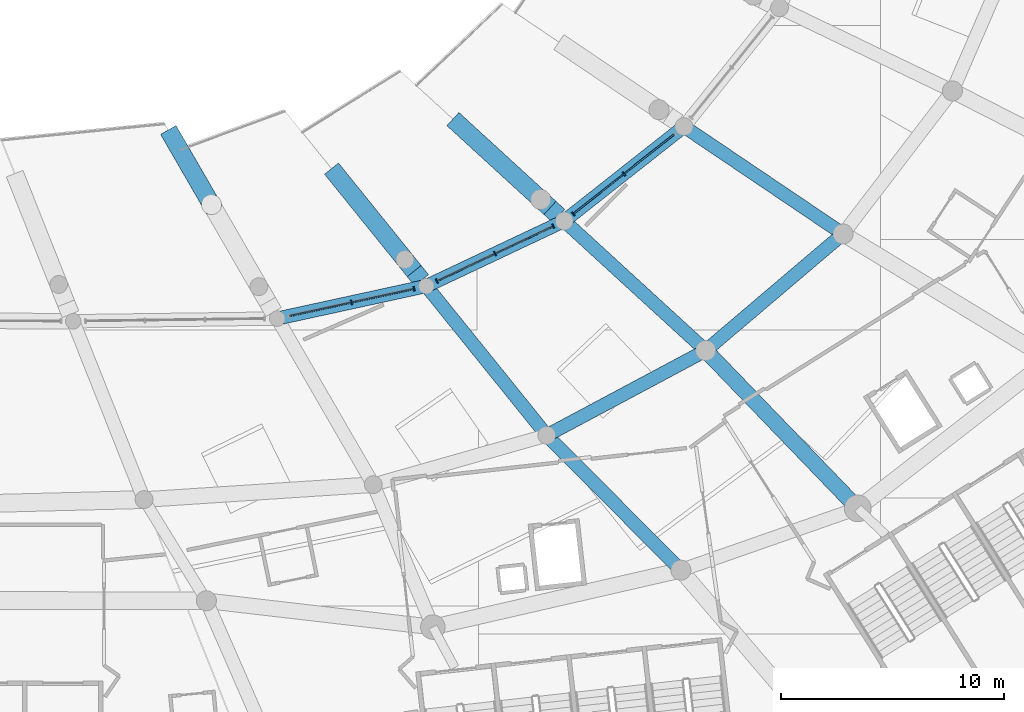
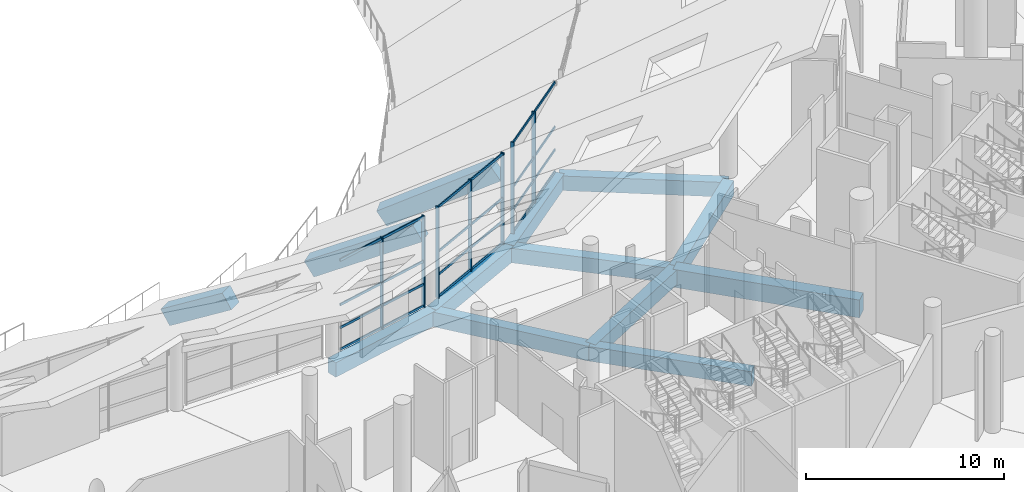
# One storey, part 35 of 249: 31 members, 13 beams, 3 elements without a shape of their own.
"""IFC4 building model written with IfcOpenShell, lengths in metres."""

from ifc_helpers import new_model, si_unit, direction, frame, origin, origin_2d, place, context, subcontext, project, spatial, rectangle, extrude, material, layer, layer_set, material_profile, profile_set, type_object, element, aggregate, save


model = new_model("IFC4")

# Units and contexts
model_context = context("Model", 3, precision=1e-05, world=origin(), true_north=direction((0.0, 1.0)))
body_context = subcontext(model_context, "Body", "Model", "MODEL_VIEW")
ifc_project = project(units=[si_unit("LENGTHUNIT", "METRE"), si_unit("AREAUNIT", "SQUARE_METRE"), si_unit("VOLUMEUNIT", "CUBIC_METRE"), si_unit("PLANEANGLEUNIT", "RADIAN"), si_unit("MASSUNIT", "GRAM", prefix="KILO")], contexts=[model_context])

# Site, building, storey
site_placement = place(None, origin())
site = spatial("IfcSite", under=ifc_project, at=site_placement, CompositionType="ELEMENT")
building_placement = place(site_placement, origin())
building = spatial("IfcBuilding", under=site, at=building_placement, Name="Meseta Stadium", CompositionType="ELEMENT")
storey_placement = place(building_placement, frame((0.0, 0.0, 12.0)))
storey = spatial("IfcBuildingStorey", under=building, at=storey_placement, Name="L02", CompositionType="ELEMENT", Elevation=12.0)

# Curtain wall, members
ifc_material_1 = material(Name="Aluminium", Category="aluminium")
ifc_layer = layer(ifc_material_1, 0.199951171875)
ifc_layer_set = layer_set([ifc_layer], Name="Suite glazing curtain wall")
curtain_wall_type = type_object("IfcCurtainWallType", Name="Suite glazing curtain wall", PredefinedType="NOTDEFINED", material=ifc_layer_set)
curtain_wall_1_placement = place(storey_placement, origin())
curtain_wall_1 = element("IfcCurtainWall", 1, at=curtain_wall_1_placement, inside=storey, type_object=curtain_wall_type, Name="Suite glazing bay 50", PredefinedType="NOTDEFINED")
ifc_material_2 = material(Name="Aluminium", Category="aluminium")
ifc_material_profile_1 = material_profile(ifc_material_2, rectangle(XDim=0.199951171875, YDim=0.06005859375, at=origin_2d()), Name="CW 200x60")
ifc_profile_set_1 = profile_set([ifc_material_profile_1], Name="Aluminium")
member_type_1 = type_object("IfcMemberType", Name="CW mullion 60x200", PredefinedType="MULLION", material=ifc_profile_set_1)
member_1_placement = place(storey_placement, frame((41.034912109375, -76.53759765625, 0.0), z_axis=(0.0, 0.0, 1.0), x_axis=(-0.21291694712, 0.977070301273, 0.0)))
member_1 = element("IfcMember", 2, at=member_1_placement, type_object=member_type_1, Name="CWS mullion 2", PredefinedType="MULLION", context=body_context, shape_type="SweptSolid", body=[
    extrude(rectangle(XDim=0.199951171875, YDim=0.06005859375, at=origin_2d()), origin(), (0.0, 0.0, 1.0), 5.64990234375),
])
member_2_placement = place(storey_placement, frame((43.83740234375, -75.9267578125, 0.0), z_axis=(0.0, 0.0, 1.0), x_axis=(-0.21291694712, 0.977070301273, 0.0)))
member_2 = element("IfcMember", 3, at=member_2_placement, type_object=member_type_1, Name="CWS mullion 3", PredefinedType="MULLION", context=body_context, shape_type="SweptSolid", body=[
    extrude(rectangle(XDim=0.199951171875, YDim=0.06005859375, at=origin_2d()), origin(), (0.0, 0.0, 1.0), 5.64990234375),
])

curtain_wall_2_placement = place(storey_placement, origin())
curtain_wall_2 = element("IfcCurtainWall", 4, at=curtain_wall_2_placement, inside=storey, type_object=curtain_wall_type, Name="Suite glazing bay 51", PredefinedType="NOTDEFINED")
member_3_placement = place(storey_placement, frame((44.86279296875, -75.583251953125, 0.0), z_axis=(0.0, 0.0, 1.0), x_axis=(-0.426837356076, 0.904328409074, 0.0)))
member_3 = element("IfcMember", 5, at=member_3_placement, type_object=member_type_1, Name="CWS mullion 1", PredefinedType="MULLION", context=body_context, shape_type="SweptSolid", body=[
    extrude(rectangle(XDim=0.199951171875, YDim=0.06005859375, at=origin_2d()), origin(), (0.0, 0.0, 1.0), 5.64990234375),
])
member_4_placement = place(storey_placement, frame((47.4697265625, -74.352783203125, 0.0), z_axis=(0.0, 0.0, 1.0), x_axis=(-0.426837356076, 0.904328409074, 0.0)))
member_4 = element("IfcMember", 6, at=member_4_placement, type_object=member_type_1, Name="CWS mullion 2", PredefinedType="MULLION", context=body_context, shape_type="SweptSolid", body=[
    extrude(rectangle(XDim=0.199951171875, YDim=0.06005859375, at=origin_2d()), origin(), (0.0, 0.0, 1.0), 5.64990234375),
])
member_5_placement = place(storey_placement, frame((50.076416015625, -73.12255859375, 0.0), z_axis=(0.0, 0.0, 1.0), x_axis=(-0.426837356076, 0.904328409074, 0.0)))
member_5 = element("IfcMember", 7, at=member_5_placement, type_object=member_type_1, Name="CWS mullion 3", PredefinedType="MULLION", context=body_context, shape_type="SweptSolid", body=[
    extrude(rectangle(XDim=0.199951171875, YDim=0.06005859375, at=origin_2d()), origin(), (0.0, 0.0, 1.0), 5.64990234375),
])

curtain_wall_3_placement = place(storey_placement, origin())
curtain_wall_3 = element("IfcCurtainWall", 8, at=curtain_wall_3_placement, inside=storey, type_object=curtain_wall_type, Name="Suite glazing bay 52", PredefinedType="NOTDEFINED")
member_6_placement = place(storey_placement, frame((50.976318359375, -72.56982421875, 0.0), z_axis=(0.0, 0.0, 1.0), x_axis=(-0.61894425509, 0.785434917158, 0.0)))
member_6 = element("IfcMember", 9, at=member_6_placement, type_object=member_type_1, Name="CWS mullion 1", PredefinedType="MULLION", context=body_context, shape_type="SweptSolid", body=[
    extrude(rectangle(XDim=0.199951171875, YDim=0.06005859375, at=origin_2d()), origin(), (0.0, 0.0, 1.0), 5.64990234375),
])
member_7_placement = place(storey_placement, frame((53.2490234375, -70.77880859375, 0.0), z_axis=(0.0, 0.0, 1.0), x_axis=(-0.61894425509, 0.785434917158, 0.0)))
member_7 = element("IfcMember", 10, at=member_7_placement, type_object=member_type_1, Name="CWS mullion 2", PredefinedType="MULLION", context=body_context, shape_type="SweptSolid", body=[
    extrude(rectangle(XDim=0.199951171875, YDim=0.06005859375, at=origin_2d()), origin(), (0.0, 0.0, 1.0), 5.64990234375),
])

# Member
ifc_material_3 = material(Name="Aluminium", Category="aluminium")
ifc_material_profile_2 = material_profile(ifc_material_3, rectangle(XDim=0.06005859375, YDim=0.14990234375, at=origin_2d()), Name="CW 60x150")
ifc_profile_set_2 = profile_set([ifc_material_profile_2], Name="Aluminium")
member_type_2 = type_object("IfcMemberType", Name="CW transom 60x150", PredefinedType="USERDEFINED", material=ifc_profile_set_2)
member_8_placement = place(storey_placement, frame((38.26171875, -77.141845703125, 0.074951171875), z_axis=(0.977072677928, 0.212906040417, 0.0), x_axis=(-0.212906040417, 0.977072677928, 0.0)))
member_8 = element("IfcMember", 11, at=member_8_placement, type_object=member_type_2, Name="CWS transom 1.1", ObjectType="TRANSOM", PredefinedType="USERDEFINED", context=body_context, shape_type="SweptSolid", body=[
    extrude(rectangle(XDim=0.06005859375, YDim=0.14990234375, at=origin_2d()), origin(), (0.0, 0.0, 1.0), 2.808349609375),
])

member_9_placement = place(storey_placement, frame((38.26171875, -77.141845703125, 1.41259765625), z_axis=(0.977072677928, 0.212906040417, 0.0), x_axis=(-0.212906040417, 0.977072677928, 0.0)))
member_9 = element("IfcMember", 12, at=member_9_placement, type_object=member_type_2, Name="CWS transom 1.2", ObjectType="TRANSOM", PredefinedType="USERDEFINED", context=body_context, shape_type="SweptSolid", body=[
    extrude(rectangle(XDim=0.06005859375, YDim=0.14990234375, at=origin_2d()), origin(), (0.0, 0.0, 1.0), 2.808349609375),
])

member_10_placement = place(storey_placement, frame((38.26171875, -77.141845703125, 2.824951171875), z_axis=(0.977072677928, 0.212906040417, 0.0), x_axis=(-0.212906040417, 0.977072677928, 0.0)))
member_10 = element("IfcMember", 13, at=member_10_placement, type_object=member_type_2, Name="CWS transom 1.3", ObjectType="TRANSOM", PredefinedType="USERDEFINED", context=body_context, shape_type="SweptSolid", body=[
    extrude(rectangle(XDim=0.06005859375, YDim=0.14990234375, at=origin_2d()), origin(), (0.0, 0.0, 1.0), 2.808349609375),
])

member_11_placement = place(storey_placement, frame((38.26171875, -77.141845703125, 5.574951171875), z_axis=(0.977072677928, 0.212906040417, 0.0), x_axis=(-0.212906040417, 0.977072677928, 0.0)))
member_11 = element("IfcMember", 14, at=member_11_placement, type_object=member_type_2, Name="CWS transom 1.4", ObjectType="TRANSOM", PredefinedType="USERDEFINED", context=body_context, shape_type="SweptSolid", body=[
    extrude(rectangle(XDim=0.06005859375, YDim=0.14990234375, at=origin_2d()), origin(), (0.0, 0.0, 1.0), 2.808349609375),
])

member_12_placement = place(storey_placement, frame((41.064208984375, -76.53125, 0.074951171875), z_axis=(0.977072677928, 0.212906040417, 0.0), x_axis=(-0.212906040417, 0.977072677928, 0.0)))
member_12 = element("IfcMember", 15, at=member_12_placement, type_object=member_type_2, Name="CWS transom 2.1", ObjectType="TRANSOM", PredefinedType="USERDEFINED", context=body_context, shape_type="SweptSolid", body=[
    extrude(rectangle(XDim=0.06005859375, YDim=0.14990234375, at=origin_2d()), origin(), (0.0, 0.0, 1.0), 2.808349609375),
])

member_13_placement = place(storey_placement, frame((41.064208984375, -76.53125, 1.41259765625), z_axis=(0.977072677928, 0.212906040417, 0.0), x_axis=(-0.212906040417, 0.977072677928, 0.0)))
member_13 = element("IfcMember", 16, at=member_13_placement, type_object=member_type_2, Name="CWS transom 2.2", ObjectType="TRANSOM", PredefinedType="USERDEFINED", context=body_context, shape_type="SweptSolid", body=[
    extrude(rectangle(XDim=0.06005859375, YDim=0.14990234375, at=origin_2d()), origin(), (0.0, 0.0, 1.0), 2.808349609375),
])

member_14_placement = place(storey_placement, frame((41.064208984375, -76.53125, 2.824951171875), z_axis=(0.977072677928, 0.212906040417, 0.0), x_axis=(-0.212906040417, 0.977072677928, 0.0)))
member_14 = element("IfcMember", 17, at=member_14_placement, type_object=member_type_2, Name="CWS transom 2.3", ObjectType="TRANSOM", PredefinedType="USERDEFINED", context=body_context, shape_type="SweptSolid", body=[
    extrude(rectangle(XDim=0.06005859375, YDim=0.14990234375, at=origin_2d()), origin(), (0.0, 0.0, 1.0), 2.808349609375),
])

member_15_placement = place(storey_placement, frame((41.064208984375, -76.53125, 5.574951171875), z_axis=(0.977072677928, 0.212906040417, 0.0), x_axis=(-0.212906040417, 0.977072677928, 0.0)))
member_15 = element("IfcMember", 18, at=member_15_placement, type_object=member_type_2, Name="CWS transom 2.4", ObjectType="TRANSOM", PredefinedType="USERDEFINED", context=body_context, shape_type="SweptSolid", body=[
    extrude(rectangle(XDim=0.06005859375, YDim=0.14990234375, at=origin_2d()), origin(), (0.0, 0.0, 1.0), 2.808349609375),
])

aggregate(curtain_wall_1, [member_1, member_2, member_8, member_9, member_10, member_11, member_12, member_13, member_14, member_15])

member_16_placement = place(storey_placement, frame((44.889892578125, -75.570556640625, 0.074951171875), z_axis=(0.904333972245, 0.426825569341, 0.0), x_axis=(-0.426825569341, 0.904333972245, 0.0)))
member_16 = element("IfcMember", 19, at=member_16_placement, type_object=member_type_2, Name="CWS transom 1.1", ObjectType="TRANSOM", PredefinedType="USERDEFINED", context=body_context, shape_type="SweptSolid", body=[
    extrude(rectangle(XDim=0.06005859375, YDim=0.14990234375, at=origin_2d()), origin(), (0.0, 0.0, 1.0), 2.82275390625),
])

member_17_placement = place(storey_placement, frame((44.889892578125, -75.570556640625, 1.41259765625), z_axis=(0.904333972245, 0.426825569341, 0.0), x_axis=(-0.426825569341, 0.904333972245, 0.0)))
member_17 = element("IfcMember", 20, at=member_17_placement, type_object=member_type_2, Name="CWS transom 1.2", ObjectType="TRANSOM", PredefinedType="USERDEFINED", context=body_context, shape_type="SweptSolid", body=[
    extrude(rectangle(XDim=0.06005859375, YDim=0.14990234375, at=origin_2d()), origin(), (0.0, 0.0, 1.0), 2.82275390625),
])

member_18_placement = place(storey_placement, frame((44.889892578125, -75.570556640625, 2.824951171875), z_axis=(0.904333972245, 0.426825569341, 0.0), x_axis=(-0.426825569341, 0.904333972245, 0.0)))
member_18 = element("IfcMember", 21, at=member_18_placement, type_object=member_type_2, Name="CWS transom 1.3", ObjectType="TRANSOM", PredefinedType="USERDEFINED", context=body_context, shape_type="SweptSolid", body=[
    extrude(rectangle(XDim=0.06005859375, YDim=0.14990234375, at=origin_2d()), origin(), (0.0, 0.0, 1.0), 2.82275390625),
])

member_19_placement = place(storey_placement, frame((44.889892578125, -75.570556640625, 5.574951171875), z_axis=(0.904333972245, 0.426825569341, 0.0), x_axis=(-0.426825569341, 0.904333972245, 0.0)))
member_19 = element("IfcMember", 22, at=member_19_placement, type_object=member_type_2, Name="CWS transom 1.4", ObjectType="TRANSOM", PredefinedType="USERDEFINED", context=body_context, shape_type="SweptSolid", body=[
    extrude(rectangle(XDim=0.06005859375, YDim=0.14990234375, at=origin_2d()), origin(), (0.0, 0.0, 1.0), 2.82275390625),
])

member_20_placement = place(storey_placement, frame((47.496826171875, -74.340087890625, 0.074951171875), z_axis=(0.904318213738, 0.426858955982, 0.0), x_axis=(-0.426858955982, 0.904318213738, 0.0)))
member_20 = element("IfcMember", 23, at=member_20_placement, type_object=member_type_2, Name="CWS transom 2.1", ObjectType="TRANSOM", PredefinedType="USERDEFINED", context=body_context, shape_type="SweptSolid", body=[
    extrude(rectangle(XDim=0.06005859375, YDim=0.14990234375, at=origin_2d()), origin(), (0.0, 0.0, 1.0), 2.822509765625),
])

member_21_placement = place(storey_placement, frame((47.496826171875, -74.340087890625, 1.41259765625), z_axis=(0.904318213738, 0.426858955982, 0.0), x_axis=(-0.426858955982, 0.904318213738, 0.0)))
member_21 = element("IfcMember", 24, at=member_21_placement, type_object=member_type_2, Name="CWS transom 2.2", ObjectType="TRANSOM", PredefinedType="USERDEFINED", context=body_context, shape_type="SweptSolid", body=[
    extrude(rectangle(XDim=0.06005859375, YDim=0.14990234375, at=origin_2d()), origin(), (0.0, 0.0, 1.0), 2.822509765625),
])

member_22_placement = place(storey_placement, frame((47.496826171875, -74.340087890625, 2.824951171875), z_axis=(0.904318213738, 0.426858955982, 0.0), x_axis=(-0.426858955982, 0.904318213738, 0.0)))
member_22 = element("IfcMember", 25, at=member_22_placement, type_object=member_type_2, Name="CWS transom 2.3", ObjectType="TRANSOM", PredefinedType="USERDEFINED", context=body_context, shape_type="SweptSolid", body=[
    extrude(rectangle(XDim=0.06005859375, YDim=0.14990234375, at=origin_2d()), origin(), (0.0, 0.0, 1.0), 2.822509765625),
])

member_23_placement = place(storey_placement, frame((47.496826171875, -74.340087890625, 5.574951171875), z_axis=(0.904318213738, 0.426858955982, 0.0), x_axis=(-0.426858955982, 0.904318213738, 0.0)))
member_23 = element("IfcMember", 26, at=member_23_placement, type_object=member_type_2, Name="CWS transom 2.4", ObjectType="TRANSOM", PredefinedType="USERDEFINED", context=body_context, shape_type="SweptSolid", body=[
    extrude(rectangle(XDim=0.06005859375, YDim=0.14990234375, at=origin_2d()), origin(), (0.0, 0.0, 1.0), 2.822509765625),
])

aggregate(curtain_wall_2, [member_3, member_4, member_5, member_16, member_17, member_18, member_19, member_20, member_21, member_22, member_23])

member_24_placement = place(storey_placement, frame((51.0, -72.55126953125, 0.074951171875), z_axis=(0.785420592413, 0.618962432635, 0.0), x_axis=(-0.618962432635, 0.785420592413, 0.0)))
member_24 = element("IfcMember", 27, at=member_24_placement, type_object=member_type_2, Name="CWS transom 1.1", ObjectType="TRANSOM", PredefinedType="USERDEFINED", context=body_context, shape_type="SweptSolid", body=[
    extrude(rectangle(XDim=0.06005859375, YDim=0.14990234375, at=origin_2d()), origin(), (0.0, 0.0, 1.0), 2.833740234375),
])

member_25_placement = place(storey_placement, frame((51.0, -72.55126953125, 1.41259765625), z_axis=(0.785420592413, 0.618962432635, 0.0), x_axis=(-0.618962432635, 0.785420592413, 0.0)))
member_25 = element("IfcMember", 28, at=member_25_placement, type_object=member_type_2, Name="CWS transom 1.2", ObjectType="TRANSOM", PredefinedType="USERDEFINED", context=body_context, shape_type="SweptSolid", body=[
    extrude(rectangle(XDim=0.06005859375, YDim=0.14990234375, at=origin_2d()), origin(), (0.0, 0.0, 1.0), 2.833740234375),
])

member_26_placement = place(storey_placement, frame((51.0, -72.55126953125, 2.824951171875), z_axis=(0.785420592413, 0.618962432635, 0.0), x_axis=(-0.618962432635, 0.785420592413, 0.0)))
member_26 = element("IfcMember", 29, at=member_26_placement, type_object=member_type_2, Name="CWS transom 1.3", ObjectType="TRANSOM", PredefinedType="USERDEFINED", context=body_context, shape_type="SweptSolid", body=[
    extrude(rectangle(XDim=0.06005859375, YDim=0.14990234375, at=origin_2d()), origin(), (0.0, 0.0, 1.0), 2.833740234375),
])

member_27_placement = place(storey_placement, frame((51.0, -72.55126953125, 5.574951171875), z_axis=(0.785420592413, 0.618962432635, 0.0), x_axis=(-0.618962432635, 0.785420592413, 0.0)))
member_27 = element("IfcMember", 30, at=member_27_placement, type_object=member_type_2, Name="CWS transom 1.4", ObjectType="TRANSOM", PredefinedType="USERDEFINED", context=body_context, shape_type="SweptSolid", body=[
    extrude(rectangle(XDim=0.06005859375, YDim=0.14990234375, at=origin_2d()), origin(), (0.0, 0.0, 1.0), 2.833740234375),
])

member_28_placement = place(storey_placement, frame((53.272705078125, -70.76025390625, 0.074951171875), z_axis=(0.785420592413, 0.618962432635, 0.0), x_axis=(-0.618962432635, 0.785420592413, 0.0)))
member_28 = element("IfcMember", 31, at=member_28_placement, type_object=member_type_2, Name="CWS transom 2.1", ObjectType="TRANSOM", PredefinedType="USERDEFINED", context=body_context, shape_type="SweptSolid", body=[
    extrude(rectangle(XDim=0.06005859375, YDim=0.14990234375, at=origin_2d()), origin(), (0.0, 0.0, 1.0), 2.833740234375),
])

member_29_placement = place(storey_placement, frame((53.272705078125, -70.76025390625, 1.41259765625), z_axis=(0.785420592413, 0.618962432635, 0.0), x_axis=(-0.618962432635, 0.785420592413, 0.0)))
member_29 = element("IfcMember", 32, at=member_29_placement, type_object=member_type_2, Name="CWS transom 2.2", ObjectType="TRANSOM", PredefinedType="USERDEFINED", context=body_context, shape_type="SweptSolid", body=[
    extrude(rectangle(XDim=0.06005859375, YDim=0.14990234375, at=origin_2d()), origin(), (0.0, 0.0, 1.0), 2.833740234375),
])

member_30_placement = place(storey_placement, frame((53.272705078125, -70.76025390625, 2.824951171875), z_axis=(0.785420592413, 0.618962432635, 0.0), x_axis=(-0.618962432635, 0.785420592413, 0.0)))
member_30 = element("IfcMember", 33, at=member_30_placement, type_object=member_type_2, Name="CWS transom 2.3", ObjectType="TRANSOM", PredefinedType="USERDEFINED", context=body_context, shape_type="SweptSolid", body=[
    extrude(rectangle(XDim=0.06005859375, YDim=0.14990234375, at=origin_2d()), origin(), (0.0, 0.0, 1.0), 2.833740234375),
])

member_31_placement = place(storey_placement, frame((53.272705078125, -70.76025390625, 5.574951171875), z_axis=(0.785420592413, 0.618962432635, 0.0), x_axis=(-0.618962432635, 0.785420592413, 0.0)))
member_31 = element("IfcMember", 34, at=member_31_placement, type_object=member_type_2, Name="CWS transom 2.4", ObjectType="TRANSOM", PredefinedType="USERDEFINED", context=body_context, shape_type="SweptSolid", body=[
    extrude(rectangle(XDim=0.06005859375, YDim=0.14990234375, at=origin_2d()), origin(), (0.0, 0.0, 1.0), 2.833740234375),
])

aggregate(curtain_wall_3, [member_6, member_7, member_24, member_25, member_26, member_27, member_28, member_29, member_30, member_31])

# Beams
ifc_material_4 = material(Name="Concrete C40/50", Category="concrete")
ifc_material_profile_3 = material_profile(ifc_material_4, rectangle(XDim=0.60009765625, YDim=0.89990234375, at=origin_2d()), Name="RC 600x900")
ifc_profile_set_3 = profile_set([ifc_material_profile_3], Name="Concrete C40/50")
beam_type_1 = type_object("IfcBeamType", Name="RC beam 600x900", PredefinedType="BEAM", material=ifc_profile_set_3)
beam_1_placement = place(storey_placement, frame((37.711669921875, -77.26171875, -0.800048828125), z_axis=(0.977068887475, 0.212923434899, 0.0), x_axis=(-0.212923434899, 0.977068887475, 0.0)))
element("IfcBeam", 35, at=beam_1_placement, inside=storey, type_object=beam_type_1, Name="L02 ring beam frame 50 line D", PredefinedType="BEAM", context=body_context, shape_type="SweptSolid", body=[
    extrude(rectangle(XDim=0.60009765625, YDim=0.89990234375, at=origin_2d()), origin(), (0.0, 0.0, 1.0), 6.8349609375),
])
beam_2_placement = place(storey_placement, frame((44.389892578125, -75.806396484375, -0.800048828125), z_axis=(0.904340564666, 0.426811601412, 0.0), x_axis=(-0.426811601412, 0.904340564666, 0.0)))
element("IfcBeam", 36, at=beam_2_placement, inside=storey, type_object=beam_type_1, Name="L02 ring beam frame 51 line D", PredefinedType="BEAM", context=body_context, shape_type="SweptSolid", body=[
    extrude(rectangle(XDim=0.60009765625, YDim=0.89990234375, at=origin_2d()), origin(), (0.0, 0.0, 1.0), 6.83544921875),
])
beam_3_placement = place(storey_placement, frame((49.791015625, -82.498779296875, -0.800048828125), z_axis=(0.882172948557, 0.47092556613, 0.0), x_axis=(-0.47092556613, 0.882172948557, 0.0)))
element("IfcBeam", 37, at=beam_3_placement, inside=storey, type_object=beam_type_1, Name="L02 ring beam frame 51 line E", PredefinedType="BEAM", context=body_context, shape_type="SweptSolid", body=[
    extrude(rectangle(XDim=0.60009765625, YDim=0.89990234375, at=origin_2d()), origin(), (0.0, 0.0, 1.0), 8.075439453125),
])
beam_4_placement = place(storey_placement, frame((50.571533203125, -72.888916015625, -0.800048828125), z_axis=(0.785430108596, 0.618950357065, 0.0), x_axis=(-0.618950357065, 0.785430108596, 0.0)))
element("IfcBeam", 38, at=beam_4_placement, inside=storey, type_object=beam_type_1, Name="L02 ring beam frame 52 line D", PredefinedType="BEAM", context=body_context, shape_type="SweptSolid", body=[
    extrude(rectangle(XDim=0.60009765625, YDim=0.89990234375, at=origin_2d()), origin(), (0.0, 0.0, 1.0), 6.835205078125),
])
beam_5_placement = place(storey_placement, frame((56.9150390625, -78.69580078125, -0.800048828125), z_axis=(0.762201166724, 0.647340236231, 0.0), x_axis=(-0.647340236231, 0.762201166724, 0.0)))
element("IfcBeam", 39, at=beam_5_placement, inside=storey, type_object=beam_type_1, Name="L02 ring beam frame 52 line E", PredefinedType="BEAM", context=body_context, shape_type="SweptSolid", body=[
    extrude(rectangle(XDim=0.60009765625, YDim=0.89990234375, at=origin_2d()), origin(), (0.0, 0.0, 1.0), 8.07275390625),
])
beam_6_placement = place(storey_placement, frame((44.389892578125, -75.806396484375, -0.800048828125), z_axis=(0.628037063111, -0.778183427836, 0.0), x_axis=(0.778183427836, 0.628037063111, 0.0)))
element("IfcBeam", 40, at=beam_6_placement, inside=storey, type_object=beam_type_1, Name="L02 radial beam frame 51 line D to E", PredefinedType="BEAM", context=body_context, shape_type="SweptSolid", body=[
    extrude(rectangle(XDim=0.60009765625, YDim=0.89990234375, at=origin_2d()), origin(), (0.0, 0.0, 1.0), 8.60009765625),
])
beam_7_placement = place(storey_placement, frame((49.791015625, -82.498779296875, -0.800048828125), z_axis=(0.705084131782, -0.709123661366, 0.0), x_axis=(0.709123661366, 0.705084131782, 0.0)))
element("IfcBeam", 41, at=beam_7_placement, inside=storey, type_object=beam_type_1, Name="L02 radial beam frame 51 line E to P", PredefinedType="BEAM", context=body_context, shape_type="SweptSolid", body=[
    extrude(rectangle(XDim=0.60009765625, YDim=0.89990234375, at=origin_2d()), origin(), (0.0, 0.0, 1.0), 8.521728515625),
])
for number, where, z_axis, x_axis, name in (
    (42, (50.571533203125, -72.888916015625, -0.800048828125), (0.737617073742, -0.675219262554, 0.0), (0.675219262554, 0.737617073742, 0.0), "L02 radial beam frame 52 line D to E"),
    (43, (55.940185546875, -68.658203125, -0.800048828125), (0.828826294275, -0.559506008832, 0.0), (0.559506008832, 0.828826294275, 0.0), "L02 radial beam frame 53 line D to E"),
):
    element("IfcBeam", number, at=place(storey_placement, frame(where, z_axis=z_axis, x_axis=x_axis)), inside=storey, type_object=beam_type_1, Name=name, PredefinedType="BEAM", context=body_context, shape_type="SweptSolid", body=[
        extrude(rectangle(XDim=0.60009765625, YDim=0.89990234375, at=origin_2d()), origin(), (0.0, 0.0, 1.0), 8.60009765625),
    ])
ifc_material_5 = material(Name="Concrete C40/50", Category="concrete")
ifc_material_profile_4 = material_profile(ifc_material_5, rectangle(XDim=0.699951171875, YDim=1.10009765625, at=origin_2d()), Name="RC 700x1100")
ifc_profile_set_4 = profile_set([ifc_material_profile_4], Name="Concrete C40/50")
beam_type_2 = type_object("IfcBeamType", Name="RC beam 700x1100", PredefinedType="BEAM", material=ifc_profile_set_4)
beam_8_placement = place(storey_placement, frame((56.9150390625, -78.69580078125, -0.89990234375), z_axis=(0.69380069558, -0.72016706035, 0.0), x_axis=(0.72016706035, 0.69380069558, 0.0)))
element("IfcBeam", 44, at=beam_8_placement, inside=storey, type_object=beam_type_2, Name="L02 radial beam frame 52 line E to P", PredefinedType="BEAM", context=body_context, shape_type="SweptSolid", body=[
    extrude(rectangle(XDim=0.699951171875, YDim=1.10009765625, at=origin_2d()), origin(), (0.0, 0.0, 1.0), 9.824462890625),
])
ifc_material_6 = material(Name="Concrete C40/50", Category="concrete")
ifc_material_profile_5 = material_profile(ifc_material_6, rectangle(XDim=0.800048828125, YDim=1.0, at=origin_2d()), Name="RC 800x1000")
ifc_profile_set_5 = profile_set([ifc_material_profile_5], Name="Concrete C40/50")
beam_type_3 = type_object("IfcBeamType", Name="RC raker upper front 800x1000", PredefinedType="USERDEFINED", material=ifc_profile_set_5)
beam_9_placement = place(storey_placement, frame((32.95751953125, -69.036865234375, -0.78564453125), z_axis=(0.424691026962, -0.734670627064, 0.529052550647), x_axis=(0.865755474215, 0.500467240553, 0.0)))
element("IfcBeam", 45, at=beam_9_placement, inside=storey, type_object=beam_type_3, Name="Raker upper front frame 50 upper tier", ObjectType="RAKER", PredefinedType="USERDEFINED", context=body_context, shape_type="SweptSolid", body=[
    extrude(rectangle(XDim=0.800048828125, YDim=1.0, at=origin_2d()), origin(), (0.0, 0.0, 1.0), 4.245849609375),
])
beam_10_placement = place(storey_placement, frame((40.307861328125, -70.748291015625, 0.67724609375), z_axis=(0.532988904175, -0.660432847856, 0.528915193107), x_axis=(0.778193176557, 0.628024983548, 0.0)))
element("IfcBeam", 46, at=beam_10_placement, inside=storey, type_object=beam_type_3, Name="Raker upper front frame 51 upper tier", ObjectType="RAKER", PredefinedType="USERDEFINED", context=body_context, shape_type="SweptSolid", body=[
    extrude(rectangle(XDim=0.800048828125, YDim=1.0, at=origin_2d()), origin(), (0.0, 0.0, 1.0), 6.951904296875),
])
beam_11_placement = place(storey_placement, frame((45.777099609375, -68.499755859375, 0.52880859375), z_axis=(0.625958337263, -0.573037203223, 0.528965522254), x_axis=(0.675239164707, 0.737598854694, 0.0)))
element("IfcBeam", 47, at=beam_11_placement, inside=storey, type_object=beam_type_3, Name="Raker upper front frame 52 upper tier", ObjectType="RAKER", PredefinedType="USERDEFINED", context=body_context, shape_type="SweptSolid", body=[
    extrude(rectangle(XDim=0.800048828125, YDim=1.0, at=origin_2d()), origin(), (0.0, 0.0, 1.0), 6.9521484375),
])

save(model, "model.ifc")
